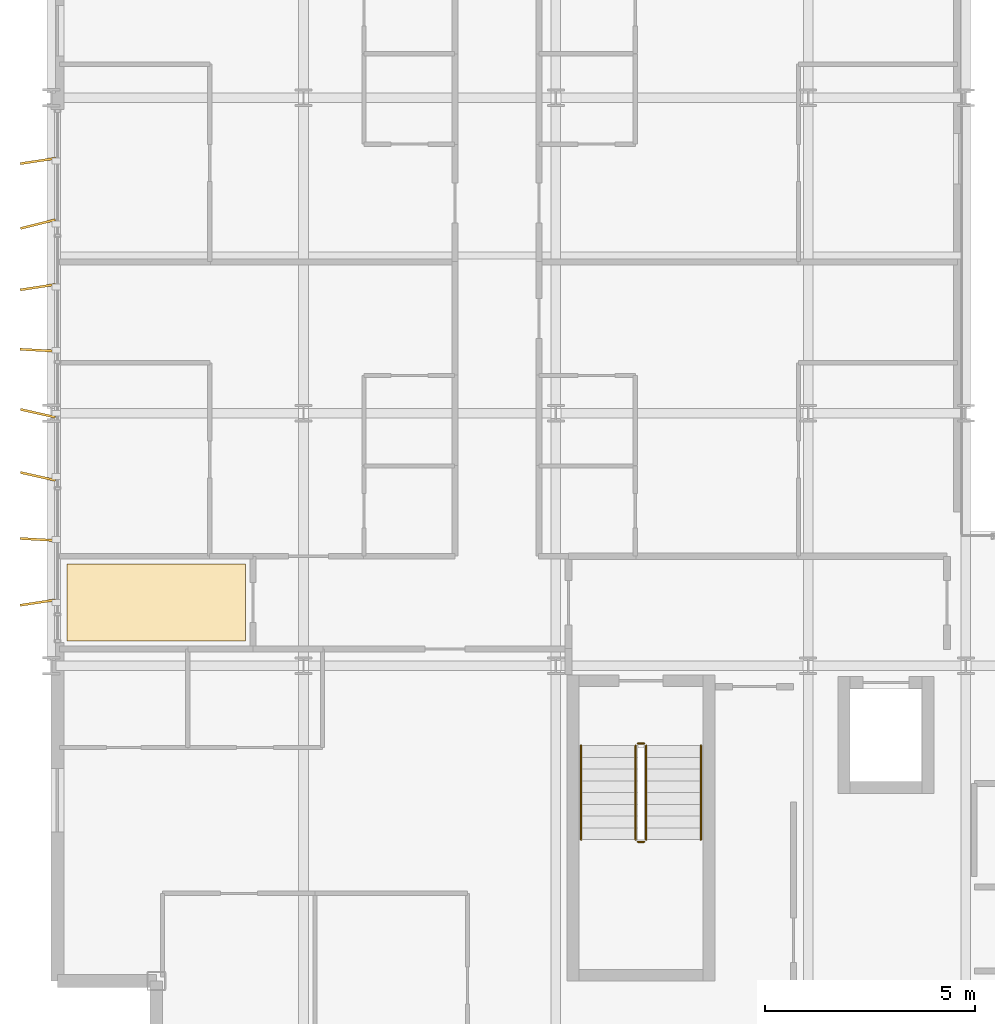
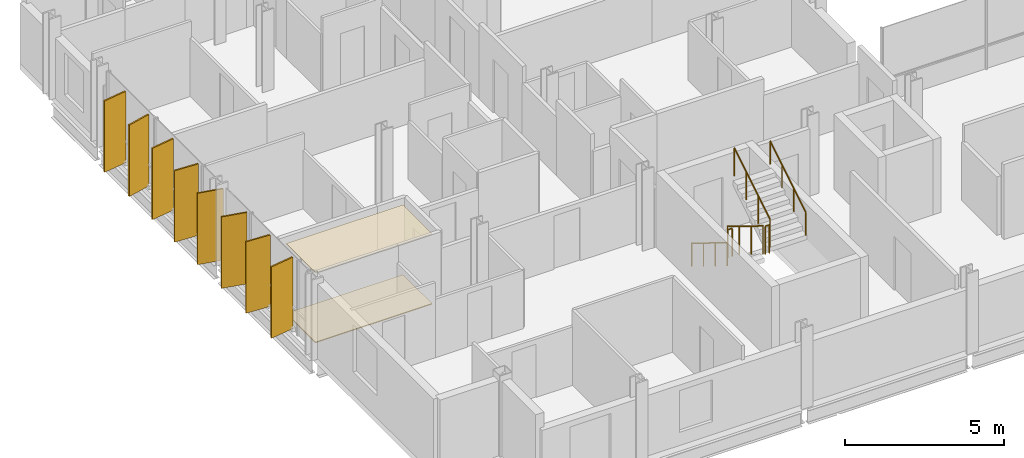
# One storey, part 36 of 39: 8 shading devices, 6 railings, 2 coverings.
"""IFC4 building model written with IfcOpenShell, lengths in metres."""

from ifc_helpers import new_model, si_unit, direction, frame, origin, origin_2d, place, context, subcontext, project, spatial, polyline, rectangle, circle, outline, extrude, material, layer, layer_set, type_object, element, save


model = new_model("IFC4")

# Units and contexts
model_context = context("Model", 3, precision=1e-05, world=origin(), true_north=direction((0.0, 1.0)))
body_context = subcontext(model_context, "Body", "Model", "MODEL_VIEW")
ifc_project = project(units=[si_unit("LENGTHUNIT", "METRE"), si_unit("AREAUNIT", "SQUARE_METRE"), si_unit("VOLUMEUNIT", "CUBIC_METRE"), si_unit("PLANEANGLEUNIT", "RADIAN"), si_unit("MASSUNIT", "GRAM", prefix="KILO")], contexts=[model_context])

# Site, building, storey
site_placement = place(None, origin())
site = spatial("IfcSite", under=ifc_project, at=site_placement, CompositionType="ELEMENT")
building_placement = place(site_placement, origin())
building = spatial("IfcBuilding", under=site, at=building_placement, Name="Brevholm Reach", CompositionType="ELEMENT")
storey_placement = place(building_placement, frame((0.0, 0.0, 115.89990234375)))
storey = spatial("IfcBuildingStorey", under=building, at=storey_placement, Name="L34", CompositionType="ELEMENT", Elevation=115.89990234375)

# Coverings
ifc_material_1 = material(Name="Moisture-Resistant Skimmed Gypsum Plasterboard Ceiling", Category="gypsum")
ifc_layer_1 = layer(ifc_material_1, 0.030029296875)
ifc_layer_set_1 = layer_set([ifc_layer_1], Name="Moisture-Resistant Skimmed Gypsum Plasterboard Ceiling")
covering_type_1 = type_object("IfcCoveringType", Name="COV-CLG-GYP", PredefinedType="CEILING", material=ifc_layer_set_1)
covering_1_placement = place(storey_placement, frame((0.0, 0.0, 2.68017578125)))
element("IfcCovering", 1, at=covering_1_placement, inside=storey, type_object=covering_type_1, Name="L34 Suspended Ceiling L34-30", PredefinedType="CEILING", context=body_context, shape_type="SweptSolid", body=[
    extrude(outline(polyline([(0.3798828125, 12.419921875), (4.615966796875, 12.419921875), (4.615966796875, 10.583984375), (0.3798828125, 10.583984375), (0.3798828125, 12.419921875)])), origin(), (0.0, 0.0, 1.0), 0.030029296875),
])
ifc_material_2 = material(Name="Honed Portland-Aggregate Resin Terrazzo Flooring", Category="concrete")
ifc_layer_2 = layer(ifc_material_2, 0.031982421875)
ifc_layer_set_2 = layer_set([ifc_layer_2], Name="Honed Portland-Aggregate Resin Terrazzo Flooring")
covering_type_2 = type_object("IfcCoveringType", Name="COV-FLR-TRZ", PredefinedType="FLOORING", material=ifc_layer_set_2)
covering_2_placement = place(storey_placement, origin())
element("IfcCovering", 2, at=covering_2_placement, inside=storey, type_object=covering_type_2, Name="L34 Floor Finish L34-30", PredefinedType="FLOORING", context=body_context, shape_type="SweptSolid", body=[
    extrude(outline(polyline([(0.3798828125, 12.419921875), (4.615966796875, 12.419921875), (4.615966796875, 10.583984375), (0.3798828125, 10.583984375), (0.3798828125, 12.419921875)])), origin(), (0.0, 0.0, 1.0), 0.031982421875),
])

# Railings
ifc_material_3 = material(Name="Brushed Stainless Steel EN 1.4401 Continuous Handrail", Category="steel")
railing_type_1 = type_object("IfcRailingType", Name="RAL-HND-950", PredefinedType="HANDRAIL", material=ifc_material_3)
railing_1_placement = place(storey_placement, frame((12.60009765625, 8.10009765625, 0.17236328125)))
element("IfcRailing", 3, at=railing_1_placement, inside=storey, type_object=railing_type_1, Name="L34 ST-1 stair handrail 1", PredefinedType="HANDRAIL", context=body_context, shape_type="SweptSolid", body=[
    extrude(circle(Radius=0.02392578125, at=origin_2d()), frame((0.0, 0.0, 0.8857421875), z_axis=(0.0, -0.85178898068, 0.523885037382), x_axis=(1.0, 0.0, 0.0)), (0.0, 0.0, 1.0), 2.629638671875),
    extrude(circle(Radius=0.02099609375, at=origin_2d()), origin(), (0.0, 0.0, 1.0), 0.86181640625),
    extrude(circle(Radius=0.02099609375, at=origin_2d()), frame((0.0, -0.74658203125, 0.459228515625)), (0.0, 0.0, 1.0), 0.86181640625),
    extrude(circle(Radius=0.02099609375, at=origin_2d()), frame((0.0, -1.493408203125, 0.91845703125)), (0.0, 0.0, 1.0), 0.86181640625),
    extrude(circle(Radius=0.02099609375, at=origin_2d()), frame((0.0, -2.239990234375, 1.377685546875)), (0.0, 0.0, 1.0), 0.86181640625),
])
railing_2_placement = place(storey_placement, frame((15.449951171875, 5.860107421875, 1.722412109375)))
element("IfcRailing", 4, at=railing_2_placement, inside=storey, type_object=railing_type_1, Name="L34 ST-1 stair handrail 2", PredefinedType="HANDRAIL", context=body_context, shape_type="SweptSolid", body=[
    extrude(circle(Radius=0.02392578125, at=origin_2d()), frame((0.0, 0.0, 0.8857421875), z_axis=(0.0, 0.85178898068, 0.523885037382), x_axis=(-1.0, 0.0, 0.0)), (0.0, 0.0, 1.0), 2.629638671875),
    extrude(circle(Radius=0.02099609375, at=origin_2d()), origin(), (0.0, 0.0, 1.0), 0.86181640625),
    extrude(circle(Radius=0.02099609375, at=origin_2d()), frame((0.0, 0.74658203125, 0.459228515625)), (0.0, 0.0, 1.0), 0.86181640625),
    extrude(circle(Radius=0.02099609375, at=origin_2d()), frame((0.0, 1.493408203125, 0.91845703125)), (0.0, 0.0, 1.0), 0.86181640625),
    extrude(circle(Radius=0.02099609375, at=origin_2d()), frame((0.0, 2.239990234375, 1.377685546875)), (0.0, 0.0, 1.0), 0.86181640625),
])
ifc_material_4 = material(Name="Painted Tubular Galvanised Steel S275JR Stair Guard", Category="steel")
railing_type_2 = type_object("IfcRailingType", Name="RAL-STG-1120", PredefinedType="BALUSTRADE", material=ifc_material_4)
railing_3_placement = place(storey_placement, frame((13.89990234375, 8.10009765625, 0.17236328125)))
element("IfcRailing", 5, at=railing_3_placement, inside=storey, type_object=railing_type_2, Name="L34 ST-1 stair guard 1", PredefinedType="BALUSTRADE", context=body_context, shape_type="SweptSolid", body=[
    extrude(circle(Radius=0.02392578125, at=origin_2d()), frame((0.0, 0.0, 1.076171875), z_axis=(0.0, -0.85178898068, 0.523885037382), x_axis=(1.0, 0.0, 0.0)), (0.0, 0.0, 1.0), 2.629638671875),
    extrude(circle(Radius=0.02099609375, at=origin_2d()), origin(), (0.0, 0.0, 1.0), 1.052001953125),
    extrude(circle(Radius=0.02099609375, at=origin_2d()), frame((0.0, -0.74658203125, 0.459228515625)), (0.0, 0.0, 1.0), 1.052001953125),
    extrude(circle(Radius=0.02099609375, at=origin_2d()), frame((0.0, -1.493408203125, 0.91845703125)), (0.0, 0.0, 1.0), 1.052001953125),
    extrude(circle(Radius=0.02099609375, at=origin_2d()), frame((0.0, -2.239990234375, 1.377685546875)), (0.0, 0.0, 1.0), 1.052001953125),
])
railing_4_placement = place(storey_placement, frame((13.949951171875, 5.81005859375, 1.550048828125)))
element("IfcRailing", 6, at=railing_4_placement, inside=storey, type_object=railing_type_2, Name="L34 ST-1 stair guard 2", PredefinedType="BALUSTRADE", context=body_context, shape_type="SweptSolid", body=[
    extrude(circle(Radius=0.02392578125, at=origin_2d()), frame((0.0, 0.0, 1.076171875), z_axis=(1.0, 0.0, 0.0), x_axis=(0.0, 1.0, 0.0)), (0.0, 0.0, 1.0), 0.150146484375),
    extrude(circle(Radius=0.02099609375, at=origin_2d()), origin(), (0.0, 0.0, 1.0), 1.052001953125),
    extrude(circle(Radius=0.02099609375, at=origin_2d()), frame((0.150146484375, 0.0, 0.0)), (0.0, 0.0, 1.0), 1.052001953125),
])
railing_5_placement = place(storey_placement, frame((14.14990234375, 5.860107421875, 1.722412109375)))
element("IfcRailing", 7, at=railing_5_placement, inside=storey, type_object=railing_type_2, Name="L34 ST-1 stair guard 3", PredefinedType="BALUSTRADE", context=body_context, shape_type="SweptSolid", body=[
    extrude(circle(Radius=0.02392578125, at=origin_2d()), frame((0.0, 0.0, 1.076171875), z_axis=(0.0, 0.85178898068, 0.523885037382), x_axis=(-1.0, 0.0, 0.0)), (0.0, 0.0, 1.0), 2.629638671875),
    extrude(circle(Radius=0.02099609375, at=origin_2d()), origin(), (0.0, 0.0, 1.0), 1.052001953125),
    extrude(circle(Radius=0.02099609375, at=origin_2d()), frame((0.0, 0.74658203125, 0.459228515625)), (0.0, 0.0, 1.0), 1.052001953125),
    extrude(circle(Radius=0.02099609375, at=origin_2d()), frame((0.0, 1.493408203125, 0.91845703125)), (0.0, 0.0, 1.0), 1.052001953125),
    extrude(circle(Radius=0.02099609375, at=origin_2d()), frame((0.0, 2.239990234375, 1.377685546875)), (0.0, 0.0, 1.0), 1.052001953125),
])
railing_6_placement = place(storey_placement, frame((13.949951171875, 8.14990234375, 0.0)))
element("IfcRailing", 8, at=railing_6_placement, inside=storey, type_object=railing_type_2, Name="L34 ST-1 stair guard 4", PredefinedType="BALUSTRADE", context=body_context, shape_type="SweptSolid", body=[
    extrude(circle(Radius=0.02392578125, at=origin_2d()), frame((0.0, 0.0, 1.076171875), z_axis=(1.0, 0.0, 0.0), x_axis=(0.0, 1.0, 0.0)), (0.0, 0.0, 1.0), 0.150146484375),
    extrude(circle(Radius=0.02099609375, at=origin_2d()), origin(), (0.0, 0.0, 1.0), 1.052001953125),
    extrude(circle(Radius=0.02099609375, at=origin_2d()), frame((0.150146484375, 0.0, 0.0)), (0.0, 0.0, 1.0), 1.052001953125),
])

# Shading devices
ifc_material_5 = material(Name="Perforated Champagne-Bronze Anodised Aluminium", Category="aluminium")
ifc_layer_3 = layer(ifc_material_5, 0.054931640625)
ifc_layer_set_3 = layer_set([ifc_layer_3], Name="Perforated Champagne-Bronze Anodised Aluminium")
shading_device_type = type_object("IfcShadingDeviceType", Name="SHD-FIN-850", PredefinedType="USERDEFINED", material=ifc_layer_set_3)
for number, where, z_axis, x_axis, name in (
    (9, (-0.31494140625, 11.5, 0.0703125), (0.0, 0.0, 1.0), (-0.988615008188, -0.150467157827, 0.0), "L34 Perforated Solar Screen Fin 1"),
    (10, (-0.31494140625, 13.0, 0.0703125), (0.0, 0.0, 1.0), (-0.998432960297, 0.055960913078, 0.0), "L34 Perforated Solar Screen Fin 2"),
    (11, (-0.31494140625, 14.5, 0.0703125), (0.0, 0.0, 1.0), (-0.975706909854, 0.219079953586, 0.0), "L34 Perforated Solar Screen Fin 3"),
    (12, (-0.31494140625, 16.0, 0.0703125), (0.0, 0.0, 1.0), (-0.976023250299, 0.217666292467, 0.0), "L34 Perforated Solar Screen Fin 4"),
    (13, (-0.31494140625, 17.5, 0.0703125), (0.0, 0.0, 1.0), (-0.998609365574, 0.05271939859, 0.0), "L34 Perforated Solar Screen Fin 5"),
    (14, (-0.31494140625, 19.0, 0.0703125), (0.0, 0.0, 1.0), (-0.988220369772, -0.153037579591, 0.0), "L34 Perforated Solar Screen Fin 6"),
    (15, (-0.31494140625, 20.5, 0.0703125), (0.0, 0.0, 1.0), (-0.970295726276, -0.2419218956, 0.0), "L34 Perforated Solar Screen Fin 7"),
    (16, (-0.31494140625, 22.0, 0.0703125), (0.0, 0.0, 1.0), (-0.988615008188, -0.150467157827, 0.0), "L34 Perforated Solar Screen Fin 8"),
):
    element("IfcShadingDevice", number, at=place(storey_placement, frame(where, z_axis=z_axis, x_axis=x_axis)), inside=storey, type_object=shading_device_type, Name=name, ObjectType="SCREEN", PredefinedType="USERDEFINED", context=body_context, shape_type="SweptSolid", body=[
        extrude(rectangle(XDim=0.85009765625, YDim=0.054931640625, at=origin_2d()), origin(), (0.0, 0.0, 1.0), 2.739990234375),
    ])

save(model, "model.ifc")
